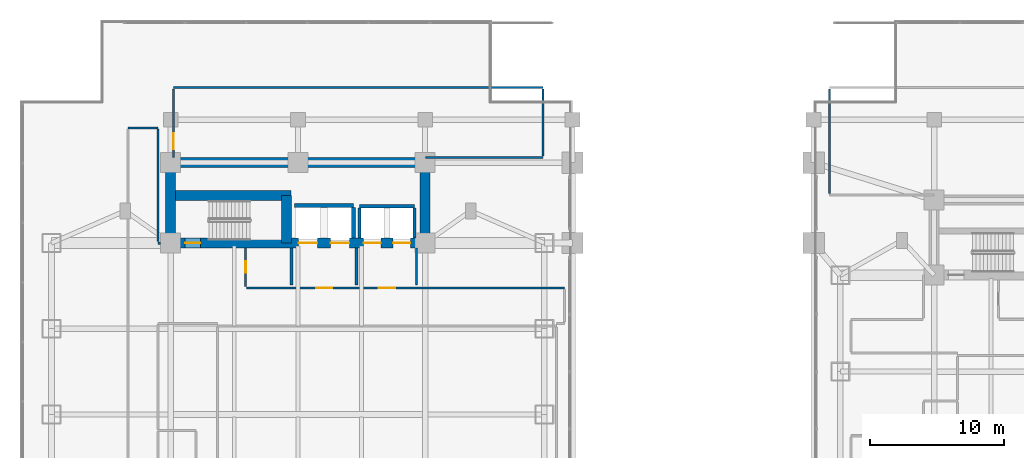
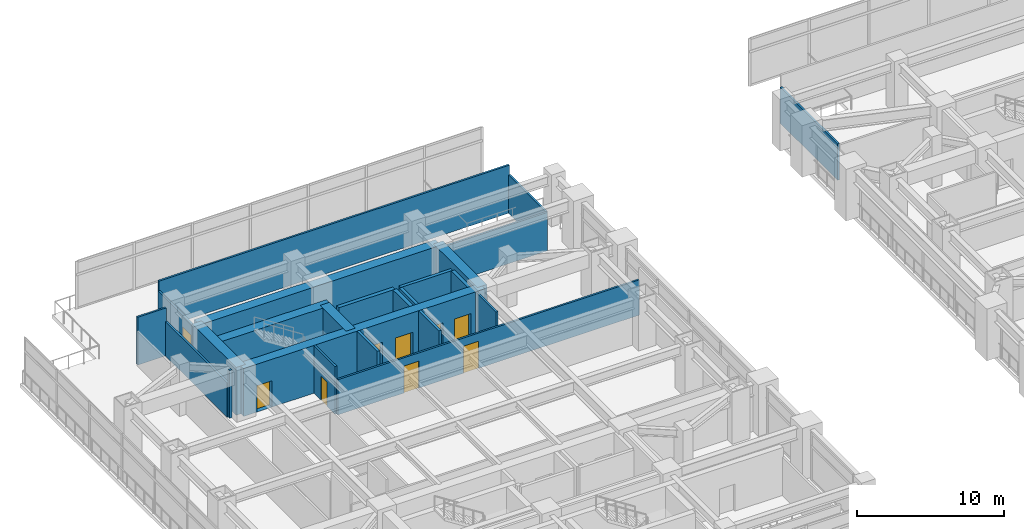
# One storey, part 17 of 31: 24 walls, 9 doors, 9 openings.
"""IFC4 building model written with IfcOpenShell, lengths in metres."""

import ifcopenshell
import ifcopenshell.guid

model = None  # the IFC model being written
_history = None  # IfcOwnerHistory: only IFC2X3 demands one
_inside = {}  # id of a spatial element -> (the spatial element, [elements in it])
_under = {}  # id of a project, library or spatial element -> (it, [spatial elements below it])
_declared = {}  # id of a project -> (the project, [libraries it declares])
_typed = {}  # id of a type object -> (the type object, [elements of that type])
_made_of = {}  # id of a material, layer set ... -> (it, [elements and type objects made of it])


def new_model(schema):
    """Start an empty IFC model of exactly this schema.

    Asked for "IFC4X3", IfcOpenShell would pick the latest addendum, in which some entities
    have other attributes; the version numbers below select the first issue.
    IFC2X3 requires an IfcOwnerHistory on every rooted entity: one is made here for all.
    """
    global model, _history
    if schema == "IFC4X3":
        model = ifcopenshell.file(schema_version=(4, 3, 0, 0))
    else:
        model = ifcopenshell.file(schema=schema)
    _inside.clear()
    _under.clear()
    _declared.clear()
    _typed.clear()
    _made_of.clear()
    _history = None
    if model.schema == "IFC2X3":
        org = make("IfcOrganization", Name="unknown")
        user = make(
            "IfcPersonAndOrganization",
            ThePerson=make("IfcPerson", FamilyName="unknown"),
            TheOrganization=org,
        )
        app = make(
            "IfcApplication",
            ApplicationDeveloper=org,
            Version="unknown",
            ApplicationFullName="unknown",
            ApplicationIdentifier="unknown",
        )
        _history = make(
            "IfcOwnerHistory",
            OwningUser=user,
            OwningApplication=app,
            ChangeAction="ADDED",
            CreationDate=0,
        )
    return model


def make(cls, **values):
    """One entity of the class cls with the attributes given. An attribute that is None is left unset."""
    return model.create_entity(
        cls, **{name: value for name, value in values.items() if value is not None}
    )


def rooted(cls, **values):
    """An entity with a GlobalId (a new one), such as an element, a storey or a relation."""
    return make(cls, GlobalId=ifcopenshell.guid.new(), OwnerHistory=_history, **values)


def si_unit(unit_type, name, prefix=None):
    """IfcSIUnit, for example si_unit("LENGTHUNIT", "METRE", prefix="MILLI")."""
    return make("IfcSIUnit", UnitType=unit_type, Prefix=prefix, Name=name)


def assignment(units):
    """IfcUnitAssignment: the units of a project."""
    return None if units is None else make("IfcUnitAssignment", Units=units)


def point(xyz):
    """IfcCartesianPoint."""
    return None if xyz is None else make("IfcCartesianPoint", Coordinates=xyz)


def direction(xyz):
    """IfcDirection."""
    return None if xyz is None else make("IfcDirection", DirectionRatios=xyz)


def frame(location, z_axis=None, x_axis=None):
    """IfcAxis2Placement3D, a coordinate frame: its origin and axes. An axis left out is left unset."""
    return make(
        "IfcAxis2Placement3D",
        Location=point(location),
        Axis=direction(z_axis),
        RefDirection=direction(x_axis),
    )


def frame_2d(location, x_axis=None):
    """IfcAxis2Placement2D, a coordinate frame in the plane: its origin and x axis."""
    return make(
        "IfcAxis2Placement2D", Location=point(location), RefDirection=direction(x_axis)
    )


def origin():
    """The frame at (0, 0, 0) with its axes left unset."""
    return frame((0.0, 0.0, 0.0))


def place(relative_to, where):
    """IfcLocalPlacement: puts the frame where relative to a parent placement (None: the world)."""
    return make(
        "IfcLocalPlacement", PlacementRelTo=relative_to, RelativePlacement=where
    )


def context(
    kind, dimensions, precision=None, world=None, true_north=None, identifier=None
):
    """IfcGeometricRepresentationContext, for example the 3D "Model" context."""
    return make(
        "IfcGeometricRepresentationContext",
        ContextIdentifier=identifier,
        ContextType=kind,
        CoordinateSpaceDimension=dimensions,
        Precision=precision,
        WorldCoordinateSystem=world,
        TrueNorth=true_north,
    )


def subcontext(parent, identifier, kind, view, scale=None):
    """IfcGeometricRepresentationSubContext, for example "Body" below "Model"."""
    return make(
        "IfcGeometricRepresentationSubContext",
        ContextIdentifier=identifier,
        ContextType=kind,
        ParentContext=parent,
        TargetScale=scale,
        TargetView=view,
    )


def project(units=None, contexts=None):
    """IfcProject with its units and contexts."""
    return rooted(
        "IfcProject",
        Name="project",
        RepresentationContexts=contexts,
        UnitsInContext=assignment(units),
    )


def spatial(cls, under=None, at=None, **own):
    """A site, building, storey or space (cls), placed at a placement, below another one or the project."""
    s = rooted(cls, ObjectPlacement=at, **own)
    if under is not None:
        _under.setdefault(under.id(), (under, []))[1].append(s)
    return s


def profile(cls, at=None, kind="AREA", **sizes):
    """A parametric profile (cls). Its sizes go by their IFC names, for example OverallWidth=200.0."""
    return make(cls, ProfileType=kind, Position=at, **sizes)


def rectangle(**sizes):
    """IfcRectangleProfileDef."""
    return profile("IfcRectangleProfileDef", **sizes)


def extrude(swept, where, along, depth):
    """IfcExtrudedAreaSolid: the profile swept, set in the frame where, extruded along a direction by depth."""
    return make(
        "IfcExtrudedAreaSolid",
        SweptArea=swept,
        Position=where,
        ExtrudedDirection=direction(along),
        Depth=depth,
    )


def shape(context_of_items, identifier, shape_type, items):
    """IfcShapeRepresentation: the items that make up one representation, for example the "Body"."""
    return make(
        "IfcShapeRepresentation",
        ContextOfItems=context_of_items,
        RepresentationIdentifier=identifier,
        RepresentationType=shape_type,
        Items=items,
    )


def material(Name=None, Category=None):
    """IfcMaterial."""
    return make("IfcMaterial", Name=Name, Category=Category)


def layer(
    of_material, thickness, ventilated=None, Name=None, Category=None, Priority=None
):
    """IfcMaterialLayer: one layer of a wall or slab, of a material (None: an air gap)."""
    return make(
        "IfcMaterialLayer",
        Material=of_material,
        LayerThickness=thickness,
        IsVentilated=ventilated,
        Name=Name,
        Category=Category,
        Priority=Priority,
    )


def layer_set(layers, Name=None):
    """IfcMaterialLayerSet."""
    return make("IfcMaterialLayerSet", MaterialLayers=layers, LayerSetName=Name)


def made_of(thing, what):
    """Note that an element or type object is made of a material, layer set ...; save() writes the relation."""
    if what is not None:
        _made_of.setdefault(what.id(), (what, []))[1].append(thing)
    return thing


def type_object(cls, material=None, **own):
    """A type object (cls), such as IfcWallType, which elements share."""
    return made_of(rooted(cls, **own), material)


def element(
    cls,
    number,
    at=None,
    inside=None,
    cuts=None,
    type_object=None,
    material=None,
    context=None,
    identifier="Body",
    shape_type=None,
    held_by="IfcProductDefinitionShape",
    body=None,
    shapes=None,
    **own,
):
    """One element of the class cls, such as IfcWall. Its Tag is "e" and its number.

    at: its placement. inside: the storey or other place that contains it. cuts: it is an
    opening in that element (IfcRelVoidsElement). A single representation is given by context,
    identifier, shape_type and body (its items); several are given by shapes. held_by: the class
    of the entity that holds the representations. save() writes the other relations.
    """
    e = rooted(cls, Tag="e%d" % number, ObjectPlacement=at, **own)
    if body is not None:
        shapes = [shape(context, identifier, shape_type, body)]
    if shapes is not None:
        e.Representation = make(held_by, Representations=shapes)
    if inside is not None:
        _inside.setdefault(inside.id(), (inside, []))[1].append(e)
    if cuts is not None:
        rooted(
            "IfcRelVoidsElement", RelatingBuildingElement=cuts, RelatedOpeningElement=e
        )
    if type_object is not None:
        _typed.setdefault(type_object.id(), (type_object, []))[1].append(e)
    return made_of(e, material)


def fill(opening, filler):
    """IfcRelFillsElement: the door or window that sits in an opening."""
    return rooted(
        "IfcRelFillsElement",
        RelatingOpeningElement=opening,
        RelatedBuildingElement=filler,
    )


def aggregate(whole, parts):
    """IfcRelAggregates: a whole, such as a stair, and the parts it consists of."""
    return rooted("IfcRelAggregates", RelatingObject=whole, RelatedObjects=parts)


def save(model, path):
    """Write the relations noted so far, then the file.

    IfcRelAggregates (storeys below a building ...), IfcRelContainedInSpatialStructure (elements
    in a storey), IfcRelDefinesByType, IfcRelAssociatesMaterial and IfcRelDeclares: one each for
    every whole, place, type object, material and project.
    """
    for whole, parts in _under.values():
        aggregate(whole, parts)
    for where, things in _inside.values():
        rooted(
            "IfcRelContainedInSpatialStructure",
            RelatedElements=things,
            RelatingStructure=where,
        )
    for kind, things in _typed.values():
        rooted("IfcRelDefinesByType", RelatedObjects=things, RelatingType=kind)
    for what, things in _made_of.values():
        rooted("IfcRelAssociatesMaterial", RelatedObjects=things, RelatingMaterial=what)
    for by, libraries in _declared.values():
        rooted("IfcRelDeclares", RelatingContext=by, RelatedDefinitions=libraries)
    model.write(path)


model = new_model("IFC4")

# Units and contexts
model_context = context("Model", 3, precision=1e-05, world=origin(), true_north=direction((0.0, 1.0)))
body_context = subcontext(model_context, "Body", "Model", "MODEL_VIEW")
ifc_project = project(units=[si_unit("LENGTHUNIT", "METRE"), si_unit("AREAUNIT", "SQUARE_METRE"), si_unit("VOLUMEUNIT", "CUBIC_METRE"), si_unit("PLANEANGLEUNIT", "RADIAN"), si_unit("MASSUNIT", "GRAM", prefix="KILO")], contexts=[model_context])

# Site, building, storey
site_placement = place(None, origin())
site = spatial("IfcSite", under=ifc_project, at=site_placement, CompositionType="ELEMENT")
building_placement = place(site_placement, origin())
building = spatial("IfcBuilding", under=site, at=building_placement, Name="Mirazonda Arch Towers", CompositionType="ELEMENT")
storey_placement = place(building_placement, frame((0.0, 0.0, 5.199951171875)))
storey = spatial("IfcBuildingStorey", under=building, at=storey_placement, Name="L01", CompositionType="ELEMENT", Elevation=5.199951171875)

# Walls
ifc_material_1 = material(Name="Concrete C60/75", Category="concrete")
ifc_layer_1 = layer(ifc_material_1, 0.75, Name="WALL-CORE-750")
ifc_layer_set_1 = layer_set([ifc_layer_1], Name="Concrete C60/75")
wall_type_1 = type_object("IfcWallType", Name="WALL-CORE-750", PredefinedType="SHEAR", material=ifc_layer_set_1)
wall_1_placement = place(storey_placement, frame((11.0, 43.60009765625, 0.0), z_axis=(0.0, 0.0, 1.0), x_axis=(1.0, 0.0, 0.0)))
element("IfcWall", 1, at=wall_1_placement, inside=storey, type_object=wall_type_1, Name="L01 T1N-N Core Shear Wall", PredefinedType="SHEAR", context=body_context, shape_type="SweptSolid", body=[
    extrude(rectangle(XDim=19.0, YDim=0.75, at=frame_2d((9.5, 0.0))), origin(), (0.0, 0.0, 1.0), 3.97998046875),
])
for number, where, z_axis, x_axis, name in (
    (2, (11.0, 37.60009765625, 0.0), (0.0, 0.0, 1.0), (0.0, 1.0, 0.0), "L01 T1N-W Core Shear Wall"),
    (3, (30.0, 37.60009765625, 0.0), (0.0, 0.0, 1.0), (0.0, 1.0, 0.0), "L01 T1N-E Core Shear Wall"),
):
    element("IfcWall", number, at=place(storey_placement, frame(where, z_axis=z_axis, x_axis=x_axis)), inside=storey, type_object=wall_type_1, Name=name, PredefinedType="SHEAR", context=body_context, shape_type="SweptSolid", body=[
        extrude(rectangle(XDim=6.0, YDim=0.75, at=frame_2d((3.0, 0.0))), origin(), (0.0, 0.0, 1.0), 3.97998046875),
    ])

# Wall, openings, doors
wall_2_placement = place(storey_placement, frame((11.0, 37.60009765625, 0.0), z_axis=(0.0, 0.0, 1.0), x_axis=(1.0, 0.0, 0.0)))
wall_2 = element("IfcWall", 4, at=wall_2_placement, inside=storey, type_object=wall_type_1, Name="L01 T1N-S Core Shear Wall", PredefinedType="SHEAR", context=body_context, shape_type="SweptSolid", body=[
    extrude(rectangle(XDim=19.0, YDim=0.75, at=frame_2d((9.5, 0.0))), origin(), (0.0, 0.0, 1.0), 3.97998046875),
])
opening_1_placement = place(wall_2_placement, frame((1.070068359375, 0.0, 0.0)))
opening_1 = element("IfcOpeningElement", 5, at=opening_1_placement, cuts=wall_2, Name="Opening DR-135", PredefinedType="OPENING", context=body_context, shape_type="SweptSolid", body=[
    extrude(rectangle(XDim=1.14990234375, YDim=2.199951171875, at=frame_2d((0.574951171875, 1.10009765625))), frame((0.0, 0.385009765625, 0.0), z_axis=(0.0, -1.0, 0.0), x_axis=(1.0, 0.0, 0.0)), (0.0, 0.0, 1.0), 0.77001953125),
])
opening_2_placement = place(wall_2_placement, frame((9.550048828125, 0.0, 0.0)))
opening_2 = element("IfcOpeningElement", 6, at=opening_2_placement, cuts=wall_2, Name="Opening LD-112", PredefinedType="OPENING", context=body_context, shape_type="SweptSolid", body=[
    extrude(rectangle(XDim=1.39990234375, YDim=2.35009765625, at=frame_2d((0.699951171875, 1.175048828125))), frame((0.0, 0.385009765625, 0.0), z_axis=(0.0, -1.0, 0.0), x_axis=(1.0, 0.0, 0.0)), (0.0, 0.0, 1.0), 0.77001953125),
])
opening_3_placement = place(wall_2_placement, frame((11.949951171875, 0.0, 0.0)))
opening_3 = element("IfcOpeningElement", 7, at=opening_3_placement, cuts=wall_2, Name="Opening LD-112", PredefinedType="OPENING", context=body_context, shape_type="SweptSolid", body=[
    extrude(rectangle(XDim=1.39990234375, YDim=2.35009765625, at=frame_2d((0.699951171875, 1.175048828125))), frame((0.0, 0.385009765625, 0.0), z_axis=(0.0, -1.0, 0.0), x_axis=(1.0, 0.0, 0.0)), (0.0, 0.0, 1.0), 0.77001953125),
])
opening_4_placement = place(wall_2_placement, frame((14.39990234375, 0.0, 0.0)))
opening_4 = element("IfcOpeningElement", 8, at=opening_4_placement, cuts=wall_2, Name="Opening LD-111", PredefinedType="OPENING", context=body_context, shape_type="SweptSolid", body=[
    extrude(rectangle(XDim=1.300048828125, YDim=2.300048828125, at=frame_2d((0.64990234375, 1.14990234375))), frame((0.0, 0.385009765625, 0.0), z_axis=(0.0, -1.0, 0.0), x_axis=(1.0, 0.0, 0.0)), (0.0, 0.0, 1.0), 0.77001953125),
])
opening_5_placement = place(wall_2_placement, frame((16.60009765625, 0.0, 0.0)))
opening_5 = element("IfcOpeningElement", 9, at=opening_5_placement, cuts=wall_2, Name="Opening LD-111", PredefinedType="OPENING", context=body_context, shape_type="SweptSolid", body=[
    extrude(rectangle(XDim=1.300048828125, YDim=2.300048828125, at=frame_2d((0.64990234375, 1.14990234375))), frame((0.0, 0.385009765625, 0.0), z_axis=(0.0, -1.0, 0.0), x_axis=(1.0, 0.0, 0.0)), (0.0, 0.0, 1.0), 0.77001953125),
])
ifc_material_2 = material(Name="Architectural Brushed Steel S355", Category="steel")
door_type_1 = type_object("IfcDoorType", Name="DOOR-LIFT-FFL-1400", OperationType="NOTDEFINED", PredefinedType="DOOR", material=ifc_material_2)
door_1_placement = place(opening_2_placement, origin())
door_1 = element("IfcDoor", 10, at=door_1_placement, inside=storey, type_object=door_type_1, Name="L01 Lift Landing Sliding Door FFL-T1", OperationType="DOUBLE_DOOR_SLIDING", OverallHeight=2.35009765625, OverallWidth=1.39990234375, PredefinedType="DOOR", context=body_context, shape_type="SweptSolid", body=[
    extrude(rectangle(XDim=1.39990234375, YDim=2.35009765625, at=frame_2d((0.699951171875, 1.175048828125))), frame((0.0, 0.02490234375, 0.0), z_axis=(0.0, -1.0, 0.0), x_axis=(1.0, 0.0, 0.0)), (0.0, 0.0, 1.0), 0.050048828125),
])
fill(opening_2, door_1)
door_2_placement = place(opening_3_placement, origin())
door_2 = element("IfcDoor", 11, at=door_2_placement, inside=storey, type_object=door_type_1, Name="L01 Lift Landing Sliding Door SVL-T1", OperationType="DOUBLE_DOOR_SLIDING", OverallHeight=2.35009765625, OverallWidth=1.39990234375, PredefinedType="DOOR", context=body_context, shape_type="SweptSolid", body=[
    extrude(rectangle(XDim=1.39990234375, YDim=2.35009765625, at=frame_2d((0.699951171875, 1.175048828125))), frame((0.0, 0.02490234375, 0.0), z_axis=(0.0, -1.0, 0.0), x_axis=(1.0, 0.0, 0.0)), (0.0, 0.0, 1.0), 0.050048828125),
])
fill(opening_3, door_2)
door_type_2 = type_object("IfcDoorType", Name="DOOR-LIFT-LAND-1300", OperationType="NOTDEFINED", PredefinedType="DOOR", material=ifc_material_2)
door_3_placement = place(opening_4_placement, origin())
door_3 = element("IfcDoor", 12, at=door_3_placement, inside=storey, type_object=door_type_2, Name="L01 Lift Landing Sliding Door PL-T1L1", OperationType="DOUBLE_DOOR_SLIDING", OverallHeight=2.300048828125, OverallWidth=1.300048828125, PredefinedType="DOOR", context=body_context, shape_type="SweptSolid", body=[
    extrude(rectangle(XDim=1.300048828125, YDim=2.300048828125, at=frame_2d((0.64990234375, 1.14990234375))), frame((0.0, 0.02490234375, 0.0), z_axis=(0.0, -1.0, 0.0), x_axis=(1.0, 0.0, 0.0)), (0.0, 0.0, 1.0), 0.050048828125),
])
fill(opening_4, door_3)
door_4_placement = place(opening_5_placement, origin())
door_4 = element("IfcDoor", 13, at=door_4_placement, inside=storey, type_object=door_type_2, Name="L01 Lift Landing Sliding Door PL-T1L2", OperationType="DOUBLE_DOOR_SLIDING", OverallHeight=2.300048828125, OverallWidth=1.300048828125, PredefinedType="DOOR", context=body_context, shape_type="SweptSolid", body=[
    extrude(rectangle(XDim=1.300048828125, YDim=2.300048828125, at=frame_2d((0.64990234375, 1.14990234375))), frame((0.0, 0.02490234375, 0.0), z_axis=(0.0, -1.0, 0.0), x_axis=(1.0, 0.0, 0.0)), (0.0, 0.0, 1.0), 0.050048828125),
])
fill(opening_5, door_4)
door_type_3 = type_object("IfcDoorType", Name="DOOR-STAIR-FD90-1150", OperationType="NOTDEFINED", PredefinedType="DOOR", material=ifc_material_2)
door_5_placement = place(opening_1_placement, origin())
door_5 = element("IfcDoor", 14, at=door_5_placement, inside=storey, type_object=door_type_3, Name="L01 Protected Exit Stair North Door", OperationType="SINGLE_SWING_RIGHT", OverallHeight=2.199951171875, OverallWidth=1.14990234375, PredefinedType="DOOR", context=body_context, shape_type="SweptSolid", body=[
    extrude(rectangle(XDim=1.14990234375, YDim=2.199951171875, at=frame_2d((0.574951171875, 1.10009765625))), frame((0.0, 0.02490234375, 0.0), z_axis=(0.0, -1.0, 0.0), x_axis=(1.0, 0.0, 0.0)), (0.0, 0.0, 1.0), 0.050048828125),
])
fill(opening_1, door_5)

# Walls
wall_3_placement = place(storey_placement, frame((11.0, 41.14306640625, 0.0), z_axis=(0.0, 0.0, 1.0), x_axis=(1.0, 0.0, 0.0)))
element("IfcWall", 15, at=wall_3_placement, inside=storey, type_object=wall_type_1, Name="L01 T1N-STN Core Shear Wall", PredefinedType="SHEAR", context=body_context, shape_type="SweptSolid", body=[
    extrude(rectangle(XDim=9.0, YDim=0.75, at=frame_2d((4.5, 0.0))), origin(), (0.0, 0.0, 1.0), 3.97998046875),
])
wall_4_placement = place(storey_placement, frame((19.64990234375, 37.60009765625, 0.0), z_axis=(0.0, 0.0, 1.0), x_axis=(0.0, 1.0, 0.0)))
element("IfcWall", 16, at=wall_4_placement, inside=storey, type_object=wall_type_1, Name="L01 T1N-STE Core Shear Wall", PredefinedType="SHEAR", context=body_context, shape_type="SweptSolid", body=[
    extrude(rectangle(XDim=3.54296875, YDim=0.75, at=frame_2d((1.771484375, 0.0))), origin(), (0.0, 0.0, 1.0), 3.97998046875),
])
ifc_material_3 = material(Name="Concrete C40/50", Category="concrete")
ifc_layer_2 = layer(ifc_material_3, 0.219970703125, Name="WALL-FFL-220")
ifc_layer_set_2 = layer_set([ifc_layer_2], Name="Concrete C40/50")
wall_type_2 = type_object("IfcWallType", Name="WALL-FFL-220", PredefinedType="SOLIDWALL", material=ifc_layer_set_2)
for number, where, z_axis, x_axis, name in (
    (17, (20.02490234375, 34.449951171875, 0.0), (0.0, 0.0, 1.0), (0.0, 1.0, 0.0), "L01 Interior Partition 061"),
    (18, (24.875, 34.449951171875, 0.0), (0.0, 0.0, 1.0), (0.0, 1.0, 0.0), "L01 Interior Partition 068"),
):
    element("IfcWall", number, at=place(storey_placement, frame(where, z_axis=z_axis, x_axis=x_axis)), inside=storey, type_object=wall_type_2, Name=name, PredefinedType="SOLIDWALL", context=body_context, shape_type="SweptSolid", body=[
        extrude(rectangle(XDim=2.780029296875, YDim=0.219970703125, at=frame_2d((1.39013671875, 0.0))), origin(), (0.0, 0.0, 1.0), 3.97998046875),
    ])

# Wall, openings, doors
ifc_material_4 = material(Name="Fire-Rated Gypsum Stud Partition")
ifc_layer_3 = layer(ifc_material_4, 0.14990234375, Name="WALL-PART-CORR-150")
ifc_layer_set_3 = layer_set([ifc_layer_3], Name="Fire-Rated Gypsum Stud Partition")
wall_type_3 = type_object("IfcWallType", Name="WALL-PART-CORR-150", PredefinedType="PARTITIONING", material=ifc_layer_set_3)
wall_5_placement = place(storey_placement, frame((16.64990234375, 34.25, 0.0), z_axis=(0.0, 0.0, 1.0), x_axis=(1.0, 0.0, 0.0)))
wall_5 = element("IfcWall", 19, at=wall_5_placement, inside=storey, type_object=wall_type_3, Name="L01 Interior Partition 035", PredefinedType="PARTITIONING", context=body_context, shape_type="SweptSolid", body=[
    extrude(rectangle(XDim=23.75, YDim=0.14990234375, at=frame_2d((11.875, 0.0))), origin(), (0.0, 0.0, 1.0), 2.93212890625),
])
opening_6_placement = place(wall_5_placement, frame((5.199951171875, 0.0, 0.0)))
opening_6 = element("IfcOpeningElement", 20, at=opening_6_placement, cuts=wall_5, Name="Opening DR-117", PredefinedType="OPENING", context=body_context, shape_type="SweptSolid", body=[
    extrude(rectangle(XDim=1.199951171875, YDim=2.25, at=frame_2d((0.60009765625, 1.125))), frame((0.0, 0.0849609375, 0.0), z_axis=(0.0, -1.0, 0.0), x_axis=(1.0, 0.0, 0.0)), (0.0, 0.0, 1.0), 0.169921875),
])
opening_7_placement = place(wall_5_placement, frame((9.89990234375, 0.0, 0.0)))
opening_7 = element("IfcOpeningElement", 21, at=opening_7_placement, cuts=wall_5, Name="Opening DR-117", PredefinedType="OPENING", context=body_context, shape_type="SweptSolid", body=[
    extrude(rectangle(XDim=1.199951171875, YDim=2.25, at=frame_2d((0.60009765625, 1.125))), frame((0.0, 0.0849609375, 0.0), z_axis=(0.0, -1.0, 0.0), x_axis=(1.0, 0.0, 0.0)), (0.0, 0.0, 1.0), 0.169921875),
])
door_type_4 = type_object("IfcDoorType", Name="DOOR-FFL-FD90-1200", OperationType="NOTDEFINED", PredefinedType="DOOR", material=ifc_material_2)
door_6_placement = place(opening_6_placement, origin())
door_6 = element("IfcDoor", 22, at=door_6_placement, inside=storey, type_object=door_type_4, Name="L01 Firefighting Lift Lobby Door", OperationType="SINGLE_SWING_LEFT", OverallHeight=2.25, OverallWidth=1.199951171875, PredefinedType="DOOR", context=body_context, shape_type="SweptSolid", body=[
    extrude(rectangle(XDim=1.199951171875, YDim=2.25, at=frame_2d((0.60009765625, 1.125))), frame((0.0, 0.02490234375, 0.0), z_axis=(0.0, -1.0, 0.0), x_axis=(1.0, 0.0, 0.0)), (0.0, 0.0, 1.0), 0.050048828125),
])
fill(opening_6, door_6)
door_7_placement = place(opening_7_placement, origin())
door_7 = element("IfcDoor", 23, at=door_7_placement, inside=storey, type_object=door_type_4, Name="L01 Passenger Lift Lobby North Door", OperationType="SINGLE_SWING_RIGHT", OverallHeight=2.25, OverallWidth=1.199951171875, PredefinedType="DOOR", context=body_context, shape_type="SweptSolid", body=[
    extrude(rectangle(XDim=1.199951171875, YDim=2.25, at=frame_2d((0.60009765625, 1.125))), frame((0.0, 0.02490234375, 0.0), z_axis=(0.0, -1.0, 0.0), x_axis=(1.0, 0.0, 0.0)), (0.0, 0.0, 1.0), 0.050048828125),
])
fill(opening_7, door_7)

# Walls
wall_6_placement = place(storey_placement, frame((30.02001953125, 44.0, 0.0), z_axis=(0.0, 0.0, 1.0), x_axis=(1.0, 0.0, 0.0)))
element("IfcWall", 24, at=wall_6_placement, inside=storey, type_object=wall_type_3, Name="L01 Interior Partition 045", PredefinedType="PARTITIONING", context=body_context, shape_type="SweptSolid", body=[
    extrude(rectangle(XDim=8.780029296875, YDim=0.14990234375, at=frame_2d((4.39013671875, 0.0))), origin(), (0.0, 0.0, 1.0), 3.198974609375),
])
wall_7_placement = place(storey_placement, frame((7.800048828125, 46.199951171875, 0.0), z_axis=(0.0, 0.0, 1.0), x_axis=(1.0, 0.0, 0.0)))
element("IfcWall", 25, at=wall_7_placement, inside=storey, type_object=wall_type_3, Name="L01 Interior Partition 046", PredefinedType="PARTITIONING", context=body_context, shape_type="SweptSolid", body=[
    extrude(rectangle(XDim=2.25, YDim=0.14990234375, at=frame_2d((1.125, 0.0))), origin(), (0.0, 0.0, 1.0), 3.97998046875),
])
wall_8_placement = place(storey_placement, frame((11.199951171875, 49.199951171875, 0.0), z_axis=(0.0, 0.0, 1.0), x_axis=(1.0, 0.0, 0.0)))
element("IfcWall", 26, at=wall_8_placement, inside=storey, type_object=wall_type_3, Name="L01 Interior Partition 048", PredefinedType="PARTITIONING", context=body_context, shape_type="SweptSolid", body=[
    extrude(rectangle(XDim=27.60009765625, YDim=0.14990234375, at=frame_2d((13.800048828125, 0.0))), origin(), (0.0, 0.0, 1.0), 3.97998046875),
])
wall_9_placement = place(storey_placement, frame((10.050048828125, 37.702392578125, 0.0), z_axis=(0.0, 0.0, 1.0), x_axis=(0.0, 1.0, 0.0)))
element("IfcWall", 27, at=wall_9_placement, inside=storey, type_object=wall_type_3, Name="L01 Interior Partition 055", PredefinedType="PARTITIONING", context=body_context, shape_type="SweptSolid", body=[
    extrude(rectangle(XDim=8.41259765625, YDim=0.14990234375, at=frame_2d((4.206298828125, 0.0))), origin(), (0.0, 0.0, 1.0), 2.8720703125),
])

# Wall, opening, door
wall_10_placement = place(storey_placement, frame((11.199951171875, 44.0, 0.0), z_axis=(0.0, 0.0, 1.0), x_axis=(0.0, 1.0, 0.0)))
wall_10 = element("IfcWall", 28, at=wall_10_placement, inside=storey, type_object=wall_type_3, Name="L01 Interior Partition 056", PredefinedType="PARTITIONING", context=body_context, shape_type="SweptSolid", body=[
    extrude(rectangle(XDim=5.114990234375, YDim=0.14990234375, at=frame_2d((2.5576171875, 0.0))), origin(), (0.0, 0.0, 1.0), 3.198974609375),
])
opening_8_placement = place(wall_10_placement, frame((0.607421875, 0.0, 0.0)))
opening_8 = element("IfcOpeningElement", 29, at=opening_8_placement, cuts=wall_10, Name="Opening DR-117", PredefinedType="OPENING", context=body_context, shape_type="SweptSolid", body=[
    extrude(rectangle(XDim=1.199951171875, YDim=2.25, at=frame_2d((0.60009765625, 1.125))), frame((0.0, 0.0849609375, 0.0), z_axis=(0.0, -1.0, 0.0), x_axis=(1.0, 0.0, 0.0)), (0.0, 0.0, 1.0), 0.169921875),
])
door_8_placement = place(opening_8_placement, origin())
door_8 = element("IfcDoor", 30, at=door_8_placement, inside=storey, type_object=door_type_4, Name="L01 L01 North Gallery Salon Door", OperationType="SINGLE_SWING_RIGHT", OverallHeight=2.25, OverallWidth=1.199951171875, PredefinedType="DOOR", context=body_context, shape_type="SweptSolid", body=[
    extrude(rectangle(XDim=1.199951171875, YDim=2.25, at=frame_2d((0.60009765625, 1.125))), frame((0.0, 0.02490234375, 0.0), z_axis=(0.0, -1.0, 0.0), x_axis=(1.0, 0.0, 0.0)), (0.0, 0.0, 1.0), 0.050048828125),
])
fill(opening_8, door_8)

wall_11_placement = place(storey_placement, frame((16.60009765625, 34.3349609375, 0.0), z_axis=(0.0, 0.0, 1.0), x_axis=(0.0, 1.0, 0.0)))
wall_11 = element("IfcWall", 31, at=wall_11_placement, inside=storey, type_object=wall_type_3, Name="L01 Interior Partition 059", PredefinedType="PARTITIONING", context=body_context, shape_type="SweptSolid", body=[
    extrude(rectangle(XDim=2.89501953125, YDim=0.14990234375, at=frame_2d((1.447509765625, 0.0))), origin(), (0.0, 0.0, 1.0), 3.97998046875),
])
opening_9_placement = place(wall_11_placement, frame((1.06005859375, 0.0, 0.0)))
opening_9 = element("IfcOpeningElement", 32, at=opening_9_placement, cuts=wall_11, Name="Opening DR-128", PredefinedType="OPENING", context=body_context, shape_type="SweptSolid", body=[
    extrude(rectangle(XDim=0.85009765625, YDim=2.010009765625, at=frame_2d((0.425048828125, 1.0048828125))), frame((0.0, 0.0849609375, 0.0), z_axis=(0.0, -1.0, 0.0), x_axis=(1.0, 0.0, 0.0)), (0.0, 0.0, 1.0), 0.169921875),
])
door_type_5 = type_object("IfcDoorType", Name="DOOR-RISER-FD60-850", OperationType="NOTDEFINED", PredefinedType="DOOR", material=ifc_material_2)
door_9_placement = place(opening_9_placement, origin())
door_9 = element("IfcDoor", 33, at=door_9_placement, inside=storey, type_object=door_type_5, Name="L01 Electrical & Housekeeping Service Room Door", OperationType="SINGLE_SWING_LEFT", OverallHeight=2.010009765625, OverallWidth=0.85009765625, PredefinedType="DOOR", context=body_context, shape_type="SweptSolid", body=[
    extrude(rectangle(XDim=0.85009765625, YDim=2.010009765625, at=frame_2d((0.425048828125, 1.0048828125))), frame((0.0, 0.02490234375, 0.0), z_axis=(0.0, -1.0, 0.0), x_axis=(1.0, 0.0, 0.0)), (0.0, 0.0, 1.0), 0.050048828125),
])
fill(opening_9, door_9)

# Walls
wall_12_placement = place(storey_placement, frame((29.35009765625, 34.449951171875, 0.0), z_axis=(0.0, 0.0, 1.0), x_axis=(0.0, 1.0, 0.0)))
element("IfcWall", 34, at=wall_12_placement, inside=storey, type_object=wall_type_3, Name="L01 Interior Partition 072", PredefinedType="PARTITIONING", context=body_context, shape_type="SweptSolid", body=[
    extrude(rectangle(XDim=2.780029296875, YDim=0.14990234375, at=frame_2d((1.39013671875, 0.0))), origin(), (0.0, 0.0, 1.0), 3.97998046875),
])
wall_13_placement = place(storey_placement, frame((38.800048828125, 44.0849609375, 0.0), z_axis=(0.0, 0.0, 1.0), x_axis=(0.0, 1.0, 0.0)))
element("IfcWall", 35, at=wall_13_placement, inside=storey, type_object=wall_type_3, Name="L01 Interior Partition 077", PredefinedType="PARTITIONING", context=body_context, shape_type="SweptSolid", body=[
    extrude(rectangle(XDim=5.030029296875, YDim=0.14990234375, at=frame_2d((2.51513671875, 0.0))), origin(), (0.0, 0.0, 1.0), 3.198974609375),
])
wall_14_placement = place(storey_placement, frame((60.199951171875, 41.284912109375, 0.0), z_axis=(0.0, 0.0, 1.0), x_axis=(0.0, 1.0, 0.0)))
element("IfcWall", 36, at=wall_14_placement, inside=storey, type_object=wall_type_3, Name="L01 Interior Partition 081", PredefinedType="PARTITIONING", context=body_context, shape_type="SweptSolid", body=[
    extrude(rectangle(XDim=7.830078125, YDim=0.14990234375, at=frame_2d((3.9150390625, 0.0))), origin(), (0.0, 0.0, 1.0), 3.024169921875),
])
ifc_layer_4 = layer(ifc_material_3, 0.25, Name="WALL-SHAFT-250")
ifc_layer_set_4 = layer_set([ifc_layer_4], Name="Concrete C40/50")
wall_type_4 = type_object("IfcWallType", Name="WALL-SHAFT-250", PredefinedType="SOLIDWALL", material=ifc_layer_set_4)
wall_15_placement = place(storey_placement, frame((25.10009765625, 40.35009765625, 0.0), z_axis=(0.0, 0.0, 1.0), x_axis=(1.0, 0.0, 0.0)))
element("IfcWall", 37, at=wall_15_placement, inside=storey, type_object=wall_type_4, Name="L01 Interior Partition 040", PredefinedType="SOLIDWALL", context=body_context, shape_type="SweptSolid", body=[
    extrude(rectangle(XDim=4.099853515625, YDim=0.25, at=frame_2d((2.0498046875, 0.0))), origin(), (0.0, 0.0, 1.0), 3.97998046875),
])
for number, where, z_axis, x_axis, name in (
    (38, (25.10009765625, 37.969970703125, 0.0), (0.0, 0.0, 1.0), (0.0, 1.0, 0.0), "L01 Interior Partition 069"),
    (39, (29.199951171875, 37.969970703125, 0.0), (0.0, 0.0, 1.0), (0.0, 1.0, 0.0), "L01 Interior Partition 073"),
):
    element("IfcWall", number, at=place(storey_placement, frame(where, z_axis=z_axis, x_axis=x_axis)), inside=storey, type_object=wall_type_4, Name=name, PredefinedType="SOLIDWALL", context=body_context, shape_type="SweptSolid", body=[
        extrude(rectangle(XDim=2.2451171875, YDim=0.25, at=frame_2d((1.12255859375, 0.0))), origin(), (0.0, 0.0, 1.0), 3.97998046875),
    ])
ifc_material_5 = material(Name="Concrete C50/60", Category="concrete")
ifc_layer_5 = layer(ifc_material_5, 0.300048828125, Name="WALL-SHAFT-300")
ifc_layer_set_5 = layer_set([ifc_layer_5], Name="Concrete C50/60")
wall_type_5 = type_object("IfcWallType", Name="WALL-SHAFT-300", PredefinedType="SOLIDWALL", material=ifc_layer_set_5)
wall_16_placement = place(storey_placement, frame((20.25, 40.39990234375, 0.0), z_axis=(0.0, 0.0, 1.0), x_axis=(1.0, 0.0, 0.0)))
element("IfcWall", 40, at=wall_16_placement, inside=storey, type_object=wall_type_5, Name="L01 Interior Partition 041", PredefinedType="SOLIDWALL", context=body_context, shape_type="SweptSolid", body=[
    extrude(rectangle(XDim=4.39990234375, YDim=0.300048828125, at=frame_2d((2.199951171875, 0.0))), origin(), (0.0, 0.0, 1.0), 3.97998046875),
])
wall_17_placement = place(storey_placement, frame((24.64990234375, 37.969970703125, 0.0), z_axis=(0.0, 0.0, 1.0), x_axis=(0.0, 1.0, 0.0)))
element("IfcWall", 41, at=wall_17_placement, inside=storey, type_object=wall_type_5, Name="L01 Interior Partition 066", PredefinedType="SOLIDWALL", context=body_context, shape_type="SweptSolid", body=[
    extrude(rectangle(XDim=2.27001953125, YDim=0.300048828125, at=frame_2d((1.135009765625, 0.0))), origin(), (0.0, 0.0, 1.0), 3.97998046875),
])
ifc_layer_6 = layer(ifc_material_5, 0.18505859375, Name="WALL-STAIR-CORE-185")
ifc_layer_set_6 = layer_set([ifc_layer_6], Name="Concrete C50/60")
wall_type_6 = type_object("IfcWallType", Name="WALL-STAIR-CORE-185", PredefinedType="SHEAR", material=ifc_layer_set_6)
wall_18_placement = place(storey_placement, frame((10.050048828125, 37.60009765625, 0.0), z_axis=(0.0, 0.0, 1.0), x_axis=(1.0, 0.0, 0.0)))
element("IfcWall", 42, at=wall_18_placement, inside=storey, type_object=wall_type_6, Name="L01 Stair Core Shear Wall 036", PredefinedType="SHEAR", context=body_context, shape_type="SweptSolid", body=[
    extrude(rectangle(XDim=0.18505859375, YDim=0.18505859375, at=frame_2d((0.092529296875, 0.0))), origin(), (0.0, 0.0, 1.0), 3.97998046875),
])

save(model, "model.ifc")
